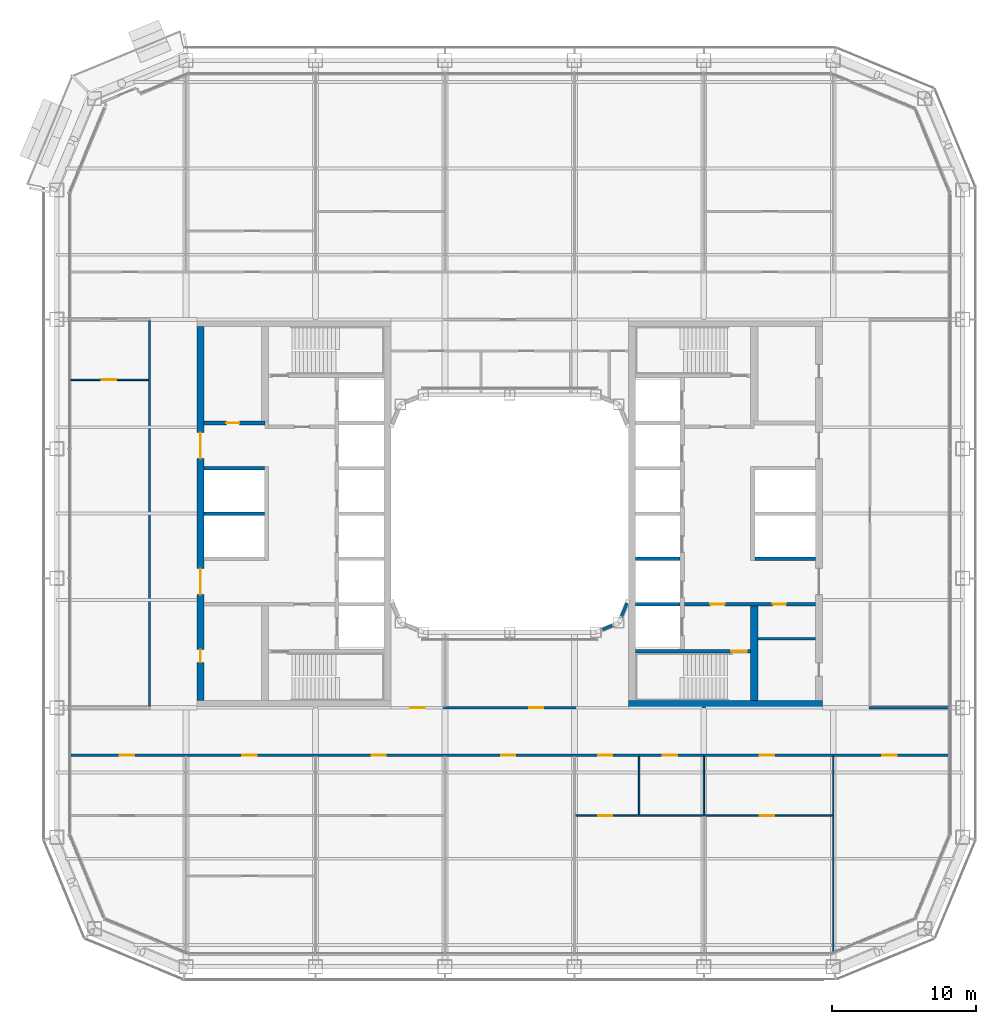
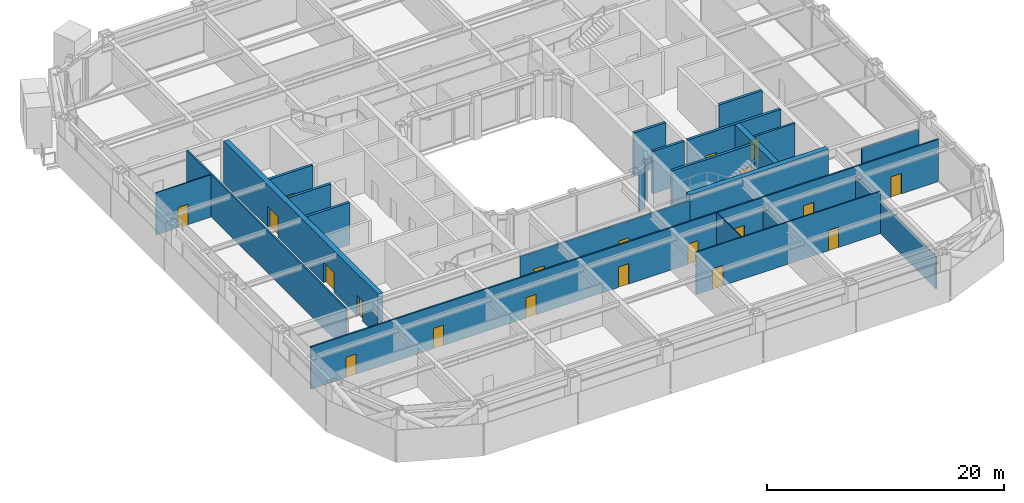
# One storey, part 13 of 28: 23 walls, 20 doors, 20 openings.
"""IFC4 building model written with IfcOpenShell, lengths in metres."""

import ifcopenshell
import ifcopenshell.guid

model = None  # the IFC model being written
_history = None  # IfcOwnerHistory: only IFC2X3 demands one
_inside = {}  # id of a spatial element -> (the spatial element, [elements in it])
_under = {}  # id of a project, library or spatial element -> (it, [spatial elements below it])
_declared = {}  # id of a project -> (the project, [libraries it declares])
_typed = {}  # id of a type object -> (the type object, [elements of that type])
_made_of = {}  # id of a material, layer set ... -> (it, [elements and type objects made of it])


def new_model(schema):
    """Start an empty IFC model of exactly this schema.

    Asked for "IFC4X3", IfcOpenShell would pick the latest addendum, in which some entities
    have other attributes; the version numbers below select the first issue.
    IFC2X3 requires an IfcOwnerHistory on every rooted entity: one is made here for all.
    """
    global model, _history
    if schema == "IFC4X3":
        model = ifcopenshell.file(schema_version=(4, 3, 0, 0))
    else:
        model = ifcopenshell.file(schema=schema)
    _inside.clear()
    _under.clear()
    _declared.clear()
    _typed.clear()
    _made_of.clear()
    _history = None
    if model.schema == "IFC2X3":
        org = make("IfcOrganization", Name="unknown")
        user = make(
            "IfcPersonAndOrganization",
            ThePerson=make("IfcPerson", FamilyName="unknown"),
            TheOrganization=org,
        )
        app = make(
            "IfcApplication",
            ApplicationDeveloper=org,
            Version="unknown",
            ApplicationFullName="unknown",
            ApplicationIdentifier="unknown",
        )
        _history = make(
            "IfcOwnerHistory",
            OwningUser=user,
            OwningApplication=app,
            ChangeAction="ADDED",
            CreationDate=0,
        )
    return model


def make(cls, **values):
    """One entity of the class cls with the attributes given. An attribute that is None is left unset."""
    return model.create_entity(
        cls, **{name: value for name, value in values.items() if value is not None}
    )


def rooted(cls, **values):
    """An entity with a GlobalId (a new one), such as an element, a storey or a relation."""
    return make(cls, GlobalId=ifcopenshell.guid.new(), OwnerHistory=_history, **values)


def si_unit(unit_type, name, prefix=None):
    """IfcSIUnit, for example si_unit("LENGTHUNIT", "METRE", prefix="MILLI")."""
    return make("IfcSIUnit", UnitType=unit_type, Prefix=prefix, Name=name)


def assignment(units):
    """IfcUnitAssignment: the units of a project."""
    return None if units is None else make("IfcUnitAssignment", Units=units)


def point(xyz):
    """IfcCartesianPoint."""
    return None if xyz is None else make("IfcCartesianPoint", Coordinates=xyz)


def direction(xyz):
    """IfcDirection."""
    return None if xyz is None else make("IfcDirection", DirectionRatios=xyz)


def frame(location, z_axis=None, x_axis=None):
    """IfcAxis2Placement3D, a coordinate frame: its origin and axes. An axis left out is left unset."""
    return make(
        "IfcAxis2Placement3D",
        Location=point(location),
        Axis=direction(z_axis),
        RefDirection=direction(x_axis),
    )


def frame_2d(location, x_axis=None):
    """IfcAxis2Placement2D, a coordinate frame in the plane: its origin and x axis."""
    return make(
        "IfcAxis2Placement2D", Location=point(location), RefDirection=direction(x_axis)
    )


def origin():
    """The frame at (0, 0, 0) with its axes left unset."""
    return frame((0.0, 0.0, 0.0))


def place(relative_to, where):
    """IfcLocalPlacement: puts the frame where relative to a parent placement (None: the world)."""
    return make(
        "IfcLocalPlacement", PlacementRelTo=relative_to, RelativePlacement=where
    )


def context(
    kind, dimensions, precision=None, world=None, true_north=None, identifier=None
):
    """IfcGeometricRepresentationContext, for example the 3D "Model" context."""
    return make(
        "IfcGeometricRepresentationContext",
        ContextIdentifier=identifier,
        ContextType=kind,
        CoordinateSpaceDimension=dimensions,
        Precision=precision,
        WorldCoordinateSystem=world,
        TrueNorth=true_north,
    )


def subcontext(parent, identifier, kind, view, scale=None):
    """IfcGeometricRepresentationSubContext, for example "Body" below "Model"."""
    return make(
        "IfcGeometricRepresentationSubContext",
        ContextIdentifier=identifier,
        ContextType=kind,
        ParentContext=parent,
        TargetScale=scale,
        TargetView=view,
    )


def project(units=None, contexts=None):
    """IfcProject with its units and contexts."""
    return rooted(
        "IfcProject",
        Name="project",
        RepresentationContexts=contexts,
        UnitsInContext=assignment(units),
    )


def spatial(cls, under=None, at=None, **own):
    """A site, building, storey or space (cls), placed at a placement, below another one or the project."""
    s = rooted(cls, ObjectPlacement=at, **own)
    if under is not None:
        _under.setdefault(under.id(), (under, []))[1].append(s)
    return s


def profile(cls, at=None, kind="AREA", **sizes):
    """A parametric profile (cls). Its sizes go by their IFC names, for example OverallWidth=200.0."""
    return make(cls, ProfileType=kind, Position=at, **sizes)


def rectangle(**sizes):
    """IfcRectangleProfileDef."""
    return profile("IfcRectangleProfileDef", **sizes)


def extrude(swept, where, along, depth):
    """IfcExtrudedAreaSolid: the profile swept, set in the frame where, extruded along a direction by depth."""
    return make(
        "IfcExtrudedAreaSolid",
        SweptArea=swept,
        Position=where,
        ExtrudedDirection=direction(along),
        Depth=depth,
    )


def shape(context_of_items, identifier, shape_type, items):
    """IfcShapeRepresentation: the items that make up one representation, for example the "Body"."""
    return make(
        "IfcShapeRepresentation",
        ContextOfItems=context_of_items,
        RepresentationIdentifier=identifier,
        RepresentationType=shape_type,
        Items=items,
    )


def material(Name=None, Category=None):
    """IfcMaterial."""
    return make("IfcMaterial", Name=Name, Category=Category)


def layer(
    of_material, thickness, ventilated=None, Name=None, Category=None, Priority=None
):
    """IfcMaterialLayer: one layer of a wall or slab, of a material (None: an air gap)."""
    return make(
        "IfcMaterialLayer",
        Material=of_material,
        LayerThickness=thickness,
        IsVentilated=ventilated,
        Name=Name,
        Category=Category,
        Priority=Priority,
    )


def layer_set(layers, Name=None):
    """IfcMaterialLayerSet."""
    return make("IfcMaterialLayerSet", MaterialLayers=layers, LayerSetName=Name)


def made_of(thing, what):
    """Note that an element or type object is made of a material, layer set ...; save() writes the relation."""
    if what is not None:
        _made_of.setdefault(what.id(), (what, []))[1].append(thing)
    return thing


def type_object(cls, material=None, **own):
    """A type object (cls), such as IfcWallType, which elements share."""
    return made_of(rooted(cls, **own), material)


def element(
    cls,
    number,
    at=None,
    inside=None,
    cuts=None,
    type_object=None,
    material=None,
    context=None,
    identifier="Body",
    shape_type=None,
    held_by="IfcProductDefinitionShape",
    body=None,
    shapes=None,
    **own,
):
    """One element of the class cls, such as IfcWall. Its Tag is "e" and its number.

    at: its placement. inside: the storey or other place that contains it. cuts: it is an
    opening in that element (IfcRelVoidsElement). A single representation is given by context,
    identifier, shape_type and body (its items); several are given by shapes. held_by: the class
    of the entity that holds the representations. save() writes the other relations.
    """
    e = rooted(cls, Tag="e%d" % number, ObjectPlacement=at, **own)
    if body is not None:
        shapes = [shape(context, identifier, shape_type, body)]
    if shapes is not None:
        e.Representation = make(held_by, Representations=shapes)
    if inside is not None:
        _inside.setdefault(inside.id(), (inside, []))[1].append(e)
    if cuts is not None:
        rooted(
            "IfcRelVoidsElement", RelatingBuildingElement=cuts, RelatedOpeningElement=e
        )
    if type_object is not None:
        _typed.setdefault(type_object.id(), (type_object, []))[1].append(e)
    return made_of(e, material)


def fill(opening, filler):
    """IfcRelFillsElement: the door or window that sits in an opening."""
    return rooted(
        "IfcRelFillsElement",
        RelatingOpeningElement=opening,
        RelatedBuildingElement=filler,
    )


def aggregate(whole, parts):
    """IfcRelAggregates: a whole, such as a stair, and the parts it consists of."""
    return rooted("IfcRelAggregates", RelatingObject=whole, RelatedObjects=parts)


def save(model, path):
    """Write the relations noted so far, then the file.

    IfcRelAggregates (storeys below a building ...), IfcRelContainedInSpatialStructure (elements
    in a storey), IfcRelDefinesByType, IfcRelAssociatesMaterial and IfcRelDeclares: one each for
    every whole, place, type object, material and project.
    """
    for whole, parts in _under.values():
        aggregate(whole, parts)
    for where, things in _inside.values():
        rooted(
            "IfcRelContainedInSpatialStructure",
            RelatedElements=things,
            RelatingStructure=where,
        )
    for kind, things in _typed.values():
        rooted("IfcRelDefinesByType", RelatedObjects=things, RelatingType=kind)
    for what, things in _made_of.values():
        rooted("IfcRelAssociatesMaterial", RelatedObjects=things, RelatingMaterial=what)
    for by, libraries in _declared.values():
        rooted("IfcRelDeclares", RelatingContext=by, RelatedDefinitions=libraries)
    model.write(path)


model = new_model("IFC4")

# Units and contexts
model_context = context("Model", 3, precision=1e-05, world=origin(), true_north=direction((0.0, 1.0)))
body_context = subcontext(model_context, "Body", "Model", "MODEL_VIEW")
ifc_project = project(units=[si_unit("LENGTHUNIT", "METRE"), si_unit("AREAUNIT", "SQUARE_METRE"), si_unit("VOLUMEUNIT", "CUBIC_METRE"), si_unit("PLANEANGLEUNIT", "RADIAN"), si_unit("MASSUNIT", "GRAM", prefix="KILO")], contexts=[model_context])

# Site, building, storey
site_placement = place(None, origin())
site = spatial("IfcSite", under=ifc_project, at=site_placement, CompositionType="ELEMENT")
building_placement = place(site_placement, origin())
building = spatial("IfcBuilding", under=site, at=building_placement, Name="Siwar Civic Tower", CompositionType="ELEMENT")
storey_placement = place(building_placement, frame((0.0, 0.0, 85.199951171875)))
storey = spatial("IfcBuildingStorey", under=building, at=storey_placement, Name="L18", CompositionType="ELEMENT", Elevation=85.199951171875)

# Wall
ifc_material_1 = material(Name="Gypsum board on steel studs", Category="steel")
ifc_layer_1 = layer(ifc_material_1, 0.199951171875)
ifc_layer_set_1 = layer_set([ifc_layer_1], Name="Gypsum board on steel studs")
wall_type_1 = type_object("IfcWallType", Name="CORE-PARTITION-200", PredefinedType="PARTITIONING", material=ifc_layer_set_1)
wall_1_placement = place(storey_placement, frame((17.25, -8.699951171875, 0.0), z_axis=(0.0, 0.0, 1.0), x_axis=(1.0, 0.0, 0.0)))
element("IfcWall", 1, at=wall_1_placement, inside=storey, type_object=wall_type_1, Name="Core partition E", PredefinedType="PARTITIONING", context=body_context, shape_type="SweptSolid", body=[
    extrude(rectangle(XDim=4.0, YDim=0.199951171875, at=frame_2d((2.0, 0.0))), origin(), (0.0, 0.0, 1.0), 4.35009765625),
])

# Wall, opening, door
ifc_material_2 = material(Name="Concrete C60/75", Category="concrete")
ifc_layer_2 = layer(ifc_material_2, 0.25)
ifc_layer_set_2 = layer_set([ifc_layer_2], Name="Concrete C60/75")
wall_type_2 = type_object("IfcWallType", Name="CORE-WALL-RC250", PredefinedType="SHEAR", material=ifc_layer_set_2)
wall_2_placement = place(storey_placement, frame((-17.0, 6.300048828125, 0.0), z_axis=(0.0, 0.0, 1.0), x_axis=(-1.0, 0.0, 0.0)))
wall_2 = element("IfcWall", 2, at=wall_2_placement, inside=storey, type_object=wall_type_2, Name="Core wall W", PredefinedType="SHEAR", context=body_context, shape_type="SweptSolid", body=[
    extrude(rectangle(XDim=4.25, YDim=0.25, at=frame_2d((2.125, 0.0))), origin(), (0.0, 0.0, 1.0), 4.35009765625),
])
opening_1_placement = place(wall_2_placement, frame((1.800048828125, 0.0, 0.0)))
opening_1 = element("IfcOpeningElement", 3, at=opening_1_placement, cuts=wall_2, Name="Opening L18-CW13", PredefinedType="OPENING", context=body_context, shape_type="SweptSolid", body=[
    extrude(rectangle(XDim=0.89990234375, YDim=2.10009765625, at=frame_2d((0.449951171875, 1.050048828125))), frame((0.0, 0.135009765625, 0.0), z_axis=(0.0, -1.0, 0.0), x_axis=(1.0, 0.0, 0.0)), (0.0, 0.0, 1.0), 0.27001953125),
])
ifc_material_3 = material(Name="Steel door leaf", Category="steel")
door_type_1 = type_object("IfcDoorType", Name="CORE-DOOR-ROOM", OperationType="SINGLE_SWING_LEFT", PredefinedType="DOOR", material=ifc_material_3)
door_1_placement = place(opening_1_placement, origin())
door_1 = element("IfcDoor", 4, at=door_1_placement, inside=storey, type_object=door_type_1, Name="Core room door L18-CW13", OperationType="SINGLE_SWING_LEFT", OverallHeight=2.10009765625, OverallWidth=0.89990234375, PredefinedType="DOOR", context=body_context, shape_type="SweptSolid", body=[
    extrude(rectangle(XDim=0.89990234375, YDim=2.10009765625, at=frame_2d((0.449951171875, 1.050048828125))), frame((0.0, 0.02490234375, 0.0), z_axis=(0.0, -1.0, 0.0), x_axis=(1.0, 0.0, 0.0)), (0.0, 0.0, 1.0), 0.050048828125),
])
fill(opening_1, door_1)

# Walls
for number, where, z_axis, x_axis, name in (
    (5, (-17.050048828125, 0.0, 0.0), (0.0, 0.0, 1.0), (-1.0, 0.0, 0.0), "Core wall W"),
    (6, (-17.050048828125, 3.14990234375, 0.0), (0.0, 0.0, 1.0), (-1.0, 0.0, 0.0), "Core wall W"),
):
    element("IfcWall", number, at=place(storey_placement, frame(where, z_axis=z_axis, x_axis=x_axis)), inside=storey, type_object=wall_type_2, Name=name, PredefinedType="SHEAR", context=body_context, shape_type="SweptSolid", body=[
        extrude(rectangle(XDim=4.199951171875, YDim=0.25, at=frame_2d((2.10009765625, 0.0))), origin(), (0.0, 0.0, 1.0), 4.35009765625),
    ])

# Wall, openings, doors
wall_3_placement = place(storey_placement, frame((12.14990234375, -6.300048828125, 0.0), z_axis=(0.0, 0.0, 1.0), x_axis=(1.0, 0.0, 0.0)))
wall_3 = element("IfcWall", 7, at=wall_3_placement, inside=storey, type_object=wall_type_2, Name="Core wall E", PredefinedType="SHEAR", context=body_context, shape_type="SweptSolid", body=[
    extrude(rectangle(XDim=9.10009765625, YDim=0.25, at=frame_2d((4.550048828125, 0.0))), origin(), (0.0, 0.0, 1.0), 4.35009765625),
])
opening_2_placement = place(wall_3_placement, frame((1.800048828125, 0.0, 0.0)))
opening_2 = element("IfcOpeningElement", 8, at=opening_2_placement, cuts=wall_3, Name="Opening L18-CE02", PredefinedType="OPENING", context=body_context, shape_type="SweptSolid", body=[
    extrude(rectangle(XDim=1.0, YDim=2.10009765625, at=frame_2d((0.5, 1.050048828125))), frame((0.0, 0.135009765625, 0.0), z_axis=(0.0, -1.0, 0.0), x_axis=(1.0, 0.0, 0.0)), (0.0, 0.0, 1.0), 0.27001953125),
])
opening_3_placement = place(wall_3_placement, frame((6.14990234375, 0.0, 0.0)))
opening_3 = element("IfcOpeningElement", 9, at=opening_3_placement, cuts=wall_3, Name="Opening L18-CE14", PredefinedType="OPENING", context=body_context, shape_type="SweptSolid", body=[
    extrude(rectangle(XDim=0.89990234375, YDim=2.10009765625, at=frame_2d((0.449951171875, 1.050048828125))), frame((0.0, 0.135009765625, 0.0), z_axis=(0.0, -1.0, 0.0), x_axis=(1.0, 0.0, 0.0)), (0.0, 0.0, 1.0), 0.27001953125),
])
ifc_material_4 = material(Name="Steel door leaf", Category="steel")
door_type_2 = type_object("IfcDoorType", Name="CORE-DOOR-FD30S", OperationType="SINGLE_SWING_LEFT", PredefinedType="DOOR", material=ifc_material_4)
door_2_placement = place(opening_2_placement, origin())
door_2 = element("IfcDoor", 10, at=door_2_placement, inside=storey, type_object=door_type_2, Name="Service lobby door L18-CE02", OperationType="SINGLE_SWING_LEFT", OverallHeight=2.10009765625, OverallWidth=1.0, PredefinedType="DOOR", context=body_context, shape_type="SweptSolid", body=[
    extrude(rectangle(XDim=1.0, YDim=2.10009765625, at=frame_2d((0.5, 1.050048828125))), frame((0.0, 0.02490234375, 0.0), z_axis=(0.0, -1.0, 0.0), x_axis=(1.0, 0.0, 0.0)), (0.0, 0.0, 1.0), 0.050048828125),
])
fill(opening_2, door_2)
door_3_placement = place(opening_3_placement, origin())
door_3 = element("IfcDoor", 11, at=door_3_placement, inside=storey, type_object=door_type_1, Name="Core room door L18-CE14", OperationType="SINGLE_SWING_LEFT", OverallHeight=2.10009765625, OverallWidth=0.89990234375, PredefinedType="DOOR", context=body_context, shape_type="SweptSolid", body=[
    extrude(rectangle(XDim=0.89990234375, YDim=2.10009765625, at=frame_2d((0.449951171875, 1.050048828125))), frame((0.0, 0.02490234375, 0.0), z_axis=(0.0, -1.0, 0.0), x_axis=(1.0, 0.0, 0.0)), (0.0, 0.0, 1.0), 0.050048828125),
])
fill(opening_3, door_3)

# Walls
wall_4_placement = place(storey_placement, frame((17.050048828125, -3.14990234375, 0.0), z_axis=(0.0, 0.0, 1.0), x_axis=(1.0, 0.0, 0.0)))
element("IfcWall", 12, at=wall_4_placement, inside=storey, type_object=wall_type_2, Name="Core wall E", PredefinedType="SHEAR", context=body_context, shape_type="SweptSolid", body=[
    extrude(rectangle(XDim=4.199951171875, YDim=0.25, at=frame_2d((2.10009765625, 0.0))), origin(), (0.0, 0.0, 1.0), 4.35009765625),
])
for number, where, z_axis, x_axis, name in (
    (13, (8.75, -3.14990234375, 0.0), (0.0, 0.0, 1.0), (1.0, 0.0, 0.0), "Core wall E"),
    (14, (8.75, -6.300048828125, 0.0), (0.0, 0.0, 1.0), (1.0, 0.0, 0.0), "Core wall E"),
):
    element("IfcWall", number, at=place(storey_placement, frame(where, z_axis=z_axis, x_axis=x_axis)), inside=storey, type_object=wall_type_2, Name=name, PredefinedType="SHEAR", context=body_context, shape_type="SweptSolid", body=[
        extrude(rectangle(XDim=3.10009765625, YDim=0.25, at=frame_2d((1.550048828125, 0.0))), origin(), (0.0, 0.0, 1.0), 4.35009765625),
    ])

# Wall, opening, door
wall_5_placement = place(storey_placement, frame((8.75, -9.574951171875, 0.0), z_axis=(0.0, 0.0, 1.0), x_axis=(1.0, 0.0, 0.0)))
wall_5 = element("IfcWall", 15, at=wall_5_placement, inside=storey, type_object=wall_type_2, Name="Core wall E", PredefinedType="SHEAR", context=body_context, shape_type="SweptSolid", body=[
    extrude(rectangle(XDim=8.0, YDim=0.25, at=frame_2d((4.0, 0.0))), origin(), (0.0, 0.0, 1.0), 4.35009765625),
])
opening_4_placement = place(wall_5_placement, frame((6.64990234375, 0.0, 0.0)))
opening_4 = element("IfcOpeningElement", 16, at=opening_4_placement, cuts=wall_5, Name="Opening L18-CE04", PredefinedType="OPENING", context=body_context, shape_type="SweptSolid", body=[
    extrude(rectangle(XDim=1.10009765625, YDim=2.10009765625, at=frame_2d((0.550048828125, 1.050048828125))), frame((0.0, 0.135009765625, 0.0), z_axis=(0.0, -1.0, 0.0), x_axis=(1.0, 0.0, 0.0)), (0.0, 0.0, 1.0), 0.27001953125),
])
ifc_material_5 = material(Name="Steel door leaf", Category="steel")
door_type_3 = type_object("IfcDoorType", Name="CORE-DOOR-FD60S", OperationType="SINGLE_SWING_LEFT", PredefinedType="DOOR", material=ifc_material_5)
door_4_placement = place(opening_4_placement, origin())
door_4 = element("IfcDoor", 17, at=door_4_placement, inside=storey, type_object=door_type_3, Name="Stair door L18-CE04", OperationType="SINGLE_SWING_RIGHT", OverallHeight=2.10009765625, OverallWidth=1.10009765625, PredefinedType="DOOR", context=body_context, shape_type="SweptSolid", body=[
    extrude(rectangle(XDim=1.10009765625, YDim=2.10009765625, at=frame_2d((0.550048828125, 1.050048828125))), frame((0.0, 0.02490234375, 0.0), z_axis=(0.0, -1.0, 0.0), x_axis=(1.0, 0.0, 0.0)), (0.0, 0.0, 1.0), 0.050048828125),
])
fill(opening_4, door_4)

# Wall, openings, doors
ifc_material_6 = material(Name="Concrete C60/75", Category="concrete")
ifc_layer_3 = layer(ifc_material_6, 0.5)
ifc_layer_set_3 = layer_set([ifc_layer_3], Name="Concrete C60/75")
wall_type_3 = type_object("IfcWallType", Name="CORE-WALL-RC500", PredefinedType="SHEAR", material=ifc_layer_set_3)
wall_6_placement = place(storey_placement, frame((-21.5, -13.0, 0.0), z_axis=(0.0, 0.0, 1.0), x_axis=(0.0, 1.0, 0.0)))
wall_6 = element("IfcWall", 18, at=wall_6_placement, inside=storey, type_object=wall_type_3, Name="Core wall W", PredefinedType="SHEAR", context=body_context, shape_type="SweptSolid", body=[
    extrude(rectangle(XDim=26.0, YDim=0.5, at=frame_2d((13.0, 0.0))), origin(), (0.0, 0.0, 1.0), 4.35009765625),
])
opening_5_placement = place(wall_6_placement, frame((16.824951171875, 0.0, 0.0)))
opening_5 = element("IfcOpeningElement", 19, at=opening_5_placement, cuts=wall_6, Name="Opening L18-CW05", PredefinedType="OPENING", context=body_context, shape_type="SweptSolid", body=[
    extrude(rectangle(XDim=1.800048828125, YDim=2.10009765625, at=frame_2d((0.89990234375, 1.050048828125))), frame((0.0, 0.260009765625, 0.0), z_axis=(0.0, -1.0, 0.0), x_axis=(1.0, 0.0, 0.0)), (0.0, 0.0, 1.0), 0.52001953125),
])
opening_6_placement = place(wall_6_placement, frame((7.375, 0.0, 0.0)))
opening_6 = element("IfcOpeningElement", 20, at=opening_6_placement, cuts=wall_6, Name="Opening L18-CW06", PredefinedType="OPENING", context=body_context, shape_type="SweptSolid", body=[
    extrude(rectangle(XDim=1.800048828125, YDim=2.10009765625, at=frame_2d((0.89990234375, 1.050048828125))), frame((0.0, 0.260009765625, 0.0), z_axis=(0.0, -1.0, 0.0), x_axis=(1.0, 0.0, 0.0)), (0.0, 0.0, 1.0), 0.52001953125),
])
opening_7_placement = place(wall_6_placement, frame((2.64990234375, 0.0, 0.0)))
opening_7 = element("IfcOpeningElement", 21, at=opening_7_placement, cuts=wall_6, Name="Opening L18-CW14", PredefinedType="OPENING", context=body_context, shape_type="SweptSolid", body=[
    extrude(rectangle(XDim=0.89990234375, YDim=2.10009765625, at=frame_2d((0.449951171875, 1.050048828125))), frame((0.0, 0.260009765625, 0.0), z_axis=(0.0, -1.0, 0.0), x_axis=(1.0, 0.0, 0.0)), (0.0, 0.0, 1.0), 0.52001953125),
])
ifc_material_7 = material(Name="Steel door leaf", Category="steel")
door_type_4 = type_object("IfcDoorType", Name="CORE-DOOR-PORT", OperationType="DOUBLE_DOOR_DOUBLE_SWING", PredefinedType="DOOR", material=ifc_material_7)
door_5_placement = place(opening_5_placement, origin())
door_5 = element("IfcDoor", 22, at=door_5_placement, inside=storey, type_object=door_type_4, Name="Core entrance door L18-CW05", OperationType="DOUBLE_DOOR_DOUBLE_SWING", OverallHeight=2.10009765625, OverallWidth=1.800048828125, PredefinedType="DOOR", context=body_context, shape_type="SweptSolid", body=[
    extrude(rectangle(XDim=1.800048828125, YDim=2.10009765625, at=frame_2d((0.89990234375, 1.050048828125))), frame((0.0, 0.02490234375, 0.0), z_axis=(0.0, -1.0, 0.0), x_axis=(1.0, 0.0, 0.0)), (0.0, 0.0, 1.0), 0.050048828125),
])
fill(opening_5, door_5)
door_6_placement = place(opening_6_placement, origin())
door_6 = element("IfcDoor", 23, at=door_6_placement, inside=storey, type_object=door_type_4, Name="Core entrance door L18-CW06", OperationType="DOUBLE_DOOR_DOUBLE_SWING", OverallHeight=2.10009765625, OverallWidth=1.800048828125, PredefinedType="DOOR", context=body_context, shape_type="SweptSolid", body=[
    extrude(rectangle(XDim=1.800048828125, YDim=2.10009765625, at=frame_2d((0.89990234375, 1.050048828125))), frame((0.0, 0.02490234375, 0.0), z_axis=(0.0, -1.0, 0.0), x_axis=(1.0, 0.0, 0.0)), (0.0, 0.0, 1.0), 0.050048828125),
])
fill(opening_6, door_6)
door_7_placement = place(opening_7_placement, origin())
door_7 = element("IfcDoor", 24, at=door_7_placement, inside=storey, type_object=door_type_1, Name="Core room door L18-CW14", OperationType="SINGLE_SWING_LEFT", OverallHeight=2.10009765625, OverallWidth=0.89990234375, PredefinedType="DOOR", context=body_context, shape_type="SweptSolid", body=[
    extrude(rectangle(XDim=0.89990234375, YDim=2.10009765625, at=frame_2d((0.449951171875, 1.050048828125))), frame((0.0, 0.02490234375, 0.0), z_axis=(0.0, -1.0, 0.0), x_axis=(1.0, 0.0, 0.0)), (0.0, 0.0, 1.0), 0.050048828125),
])
fill(opening_7, door_7)

# Walls
wall_7_placement = place(storey_placement, frame((17.0, -13.0, 0.0), z_axis=(0.0, 0.0, 1.0), x_axis=(0.0, 1.0, 0.0)))
element("IfcWall", 25, at=wall_7_placement, inside=storey, type_object=wall_type_3, Name="Core wall E", PredefinedType="SHEAR", context=body_context, shape_type="SweptSolid", body=[
    extrude(rectangle(XDim=6.574951171875, YDim=0.5, at=frame_2d((3.28759765625, 0.0))), origin(), (0.0, 0.0, 1.0), 4.35009765625),
])
wall_8_placement = place(storey_placement, frame((8.25, -13.25, 0.0), z_axis=(0.0, 0.0, 1.0), x_axis=(1.0, 0.0, 0.0)))
element("IfcWall", 26, at=wall_8_placement, inside=storey, type_object=wall_type_3, Name="Core wall E", PredefinedType="SHEAR", context=body_context, shape_type="SweptSolid", body=[
    extrude(rectangle(XDim=13.5, YDim=0.5, at=frame_2d((6.75, 0.0))), origin(), (0.0, 0.0, 1.0), 4.35009765625),
])

# Wall, openings, doors
ifc_material_8 = material(Name="Gypsum board on steel studs", Category="steel")
ifc_layer_4 = layer(ifc_material_8, 0.14990234375)
ifc_layer_set_4 = layer_set([ifc_layer_4], Name="Gypsum board on steel studs")
wall_type_4 = type_object("IfcWallType", Name="CORRIDOR PARTITION 150 EI 30", PredefinedType="PARTITIONING", material=ifc_layer_set_4)
wall_9_placement = place(storey_placement, frame((-30.510009765625, -16.800048828125, 0.0), z_axis=(0.0, 0.0, 1.0), x_axis=(1.0, 0.0, 0.0)))
wall_9 = element("IfcWall", 27, at=wall_9_placement, inside=storey, type_object=wall_type_4, Name="L18/wall/P04", PredefinedType="PARTITIONING", context=body_context, shape_type="SweptSolid", body=[
    extrude(rectangle(XDim=61.02001953125, YDim=0.14990234375, at=frame_2d((30.510009765625, 0.0))), origin(), (0.0, 0.0, 1.0), 4.35009765625),
])
opening_8_placement = place(wall_9_placement, frame((11.909912109375, 0.0, 0.0)))
opening_8 = element("IfcOpeningElement", 28, at=opening_8_placement, cuts=wall_9, Name="Opening D1", PredefinedType="OPENING", context=body_context, shape_type="SweptSolid", body=[
    extrude(rectangle(XDim=1.0, YDim=2.10009765625, at=frame_2d((0.5, 1.050048828125))), frame((0.0, 0.0849609375, 0.0), z_axis=(0.0, -1.0, 0.0), x_axis=(1.0, 0.0, 0.0)), (0.0, 0.0, 1.0), 0.169921875),
])
opening_9_placement = place(wall_9_placement, frame((20.909912109375, 0.0, 0.0)))
opening_9 = element("IfcOpeningElement", 29, at=opening_9_placement, cuts=wall_9, Name="Opening D1", PredefinedType="OPENING", context=body_context, shape_type="SweptSolid", body=[
    extrude(rectangle(XDim=1.0, YDim=2.10009765625, at=frame_2d((0.5, 1.050048828125))), frame((0.0, 0.0849609375, 0.0), z_axis=(0.0, -1.0, 0.0), x_axis=(1.0, 0.0, 0.0)), (0.0, 0.0, 1.0), 0.169921875),
])
opening_10_placement = place(wall_9_placement, frame((29.909912109375, 0.0, 0.0)))
opening_10 = element("IfcOpeningElement", 30, at=opening_10_placement, cuts=wall_9, Name="Opening D1", PredefinedType="OPENING", context=body_context, shape_type="SweptSolid", body=[
    extrude(rectangle(XDim=1.0, YDim=2.10009765625, at=frame_2d((0.5, 1.050048828125))), frame((0.0, 0.0849609375, 0.0), z_axis=(0.0, -1.0, 0.0), x_axis=(1.0, 0.0, 0.0)), (0.0, 0.0, 1.0), 0.169921875),
])
opening_11_placement = place(wall_9_placement, frame((36.659912109375, 0.0, 0.0)))
opening_11 = element("IfcOpeningElement", 31, at=opening_11_placement, cuts=wall_9, Name="Opening D1", PredefinedType="OPENING", context=body_context, shape_type="SweptSolid", body=[
    extrude(rectangle(XDim=1.0, YDim=2.10009765625, at=frame_2d((0.5, 1.050048828125))), frame((0.0, 0.0849609375, 0.0), z_axis=(0.0, -1.0, 0.0), x_axis=(1.0, 0.0, 0.0)), (0.0, 0.0, 1.0), 0.169921875),
])
opening_12_placement = place(wall_9_placement, frame((41.159912109375, 0.0, 0.0)))
opening_12 = element("IfcOpeningElement", 32, at=opening_12_placement, cuts=wall_9, Name="Opening D1", PredefinedType="OPENING", context=body_context, shape_type="SweptSolid", body=[
    extrude(rectangle(XDim=1.0, YDim=2.10009765625, at=frame_2d((0.5, 1.050048828125))), frame((0.0, 0.0849609375, 0.0), z_axis=(0.0, -1.0, 0.0), x_axis=(1.0, 0.0, 0.0)), (0.0, 0.0, 1.0), 0.169921875),
])
opening_13_placement = place(wall_9_placement, frame((47.909912109375, 0.0, 0.0)))
opening_13 = element("IfcOpeningElement", 33, at=opening_13_placement, cuts=wall_9, Name="Opening D1", PredefinedType="OPENING", context=body_context, shape_type="SweptSolid", body=[
    extrude(rectangle(XDim=1.0, YDim=2.10009765625, at=frame_2d((0.5, 1.050048828125))), frame((0.0, 0.0849609375, 0.0), z_axis=(0.0, -1.0, 0.0), x_axis=(1.0, 0.0, 0.0)), (0.0, 0.0, 1.0), 0.169921875),
])
opening_14_placement = place(wall_9_placement, frame((3.39990234375, 0.0, 0.0)))
opening_14 = element("IfcOpeningElement", 34, at=opening_14_placement, cuts=wall_9, Name="Opening D1", PredefinedType="OPENING", context=body_context, shape_type="SweptSolid", body=[
    extrude(rectangle(XDim=1.0, YDim=2.10009765625, at=frame_2d((0.5, 1.050048828125))), frame((0.0, 0.0849609375, 0.0), z_axis=(0.0, -1.0, 0.0), x_axis=(1.0, 0.0, 0.0)), (0.0, 0.0, 1.0), 0.169921875),
])
opening_15_placement = place(wall_9_placement, frame((56.409912109375, 0.0, 0.0)))
opening_15 = element("IfcOpeningElement", 35, at=opening_15_placement, cuts=wall_9, Name="Opening D1", PredefinedType="OPENING", context=body_context, shape_type="SweptSolid", body=[
    extrude(rectangle(XDim=1.0, YDim=2.10009765625, at=frame_2d((0.5, 1.050048828125))), frame((0.0, 0.0849609375, 0.0), z_axis=(0.0, -1.0, 0.0), x_axis=(1.0, 0.0, 0.0)), (0.0, 0.0, 1.0), 0.169921875),
])
ifc_material_9 = material(Name="Timber, painted", Category="wood")
door_type_5 = type_object("IfcDoorType", Name="DOOR 1000 X 2100 FD30", OperationType="SINGLE_SWING_LEFT", PredefinedType="DOOR", material=ifc_material_9)
door_8_placement = place(opening_8_placement, origin())
door_8 = element("IfcDoor", 36, at=door_8_placement, inside=storey, type_object=door_type_5, Name="L18-D09", OperationType="SINGLE_SWING_LEFT", OverallHeight=2.10009765625, OverallWidth=1.0, PredefinedType="DOOR", context=body_context, shape_type="SweptSolid", body=[
    extrude(rectangle(XDim=1.0, YDim=2.10009765625, at=frame_2d((0.5, 1.050048828125))), frame((0.0, 0.02490234375, 0.0), z_axis=(0.0, -1.0, 0.0), x_axis=(1.0, 0.0, 0.0)), (0.0, 0.0, 1.0), 0.050048828125),
])
fill(opening_8, door_8)
door_9_placement = place(opening_9_placement, origin())
door_9 = element("IfcDoor", 37, at=door_9_placement, inside=storey, type_object=door_type_5, Name="L18-D12", OperationType="SINGLE_SWING_RIGHT", OverallHeight=2.10009765625, OverallWidth=1.0, PredefinedType="DOOR", context=body_context, shape_type="SweptSolid", body=[
    extrude(rectangle(XDim=1.0, YDim=2.10009765625, at=frame_2d((0.5, 1.050048828125))), frame((0.0, 0.02490234375, 0.0), z_axis=(0.0, -1.0, 0.0), x_axis=(1.0, 0.0, 0.0)), (0.0, 0.0, 1.0), 0.050048828125),
])
fill(opening_9, door_9)
door_10_placement = place(opening_10_placement, origin())
door_10 = element("IfcDoor", 38, at=door_10_placement, inside=storey, type_object=door_type_5, Name="L18-D14", OperationType="SINGLE_SWING_RIGHT", OverallHeight=2.10009765625, OverallWidth=1.0, PredefinedType="DOOR", context=body_context, shape_type="SweptSolid", body=[
    extrude(rectangle(XDim=1.0, YDim=2.10009765625, at=frame_2d((0.5, 1.050048828125))), frame((0.0, 0.02490234375, 0.0), z_axis=(0.0, -1.0, 0.0), x_axis=(1.0, 0.0, 0.0)), (0.0, 0.0, 1.0), 0.050048828125),
])
fill(opening_10, door_10)
door_11_placement = place(opening_11_placement, origin())
door_11 = element("IfcDoor", 39, at=door_11_placement, inside=storey, type_object=door_type_5, Name="L18-D15", OperationType="SINGLE_SWING_LEFT", OverallHeight=2.10009765625, OverallWidth=1.0, PredefinedType="DOOR", context=body_context, shape_type="SweptSolid", body=[
    extrude(rectangle(XDim=1.0, YDim=2.10009765625, at=frame_2d((0.5, 1.050048828125))), frame((0.0, 0.02490234375, 0.0), z_axis=(0.0, -1.0, 0.0), x_axis=(1.0, 0.0, 0.0)), (0.0, 0.0, 1.0), 0.050048828125),
])
fill(opening_11, door_11)
door_12_placement = place(opening_12_placement, origin())
door_12 = element("IfcDoor", 40, at=door_12_placement, inside=storey, type_object=door_type_5, Name="L18-D16", OperationType="SINGLE_SWING_RIGHT", OverallHeight=2.10009765625, OverallWidth=1.0, PredefinedType="DOOR", context=body_context, shape_type="SweptSolid", body=[
    extrude(rectangle(XDim=1.0, YDim=2.10009765625, at=frame_2d((0.5, 1.050048828125))), frame((0.0, 0.02490234375, 0.0), z_axis=(0.0, -1.0, 0.0), x_axis=(1.0, 0.0, 0.0)), (0.0, 0.0, 1.0), 0.050048828125),
])
fill(opening_12, door_12)
door_13_placement = place(opening_13_placement, origin())
door_13 = element("IfcDoor", 41, at=door_13_placement, inside=storey, type_object=door_type_5, Name="L18-D18", OperationType="SINGLE_SWING_RIGHT", OverallHeight=2.10009765625, OverallWidth=1.0, PredefinedType="DOOR", context=body_context, shape_type="SweptSolid", body=[
    extrude(rectangle(XDim=1.0, YDim=2.10009765625, at=frame_2d((0.5, 1.050048828125))), frame((0.0, 0.02490234375, 0.0), z_axis=(0.0, -1.0, 0.0), x_axis=(1.0, 0.0, 0.0)), (0.0, 0.0, 1.0), 0.050048828125),
])
fill(opening_13, door_13)
door_14_placement = place(opening_14_placement, origin())
door_14 = element("IfcDoor", 42, at=door_14_placement, inside=storey, type_object=door_type_5, Name="L18-D22", OperationType="SINGLE_SWING_RIGHT", OverallHeight=2.10009765625, OverallWidth=1.0, PredefinedType="DOOR", context=body_context, shape_type="SweptSolid", body=[
    extrude(rectangle(XDim=1.0, YDim=2.10009765625, at=frame_2d((0.5, 1.050048828125))), frame((0.0, 0.02490234375, 0.0), z_axis=(0.0, -1.0, 0.0), x_axis=(1.0, 0.0, 0.0)), (0.0, 0.0, 1.0), 0.050048828125),
])
fill(opening_14, door_14)
door_15_placement = place(opening_15_placement, origin())
door_15 = element("IfcDoor", 43, at=door_15_placement, inside=storey, type_object=door_type_5, Name="L18-D24", OperationType="SINGLE_SWING_RIGHT", OverallHeight=2.10009765625, OverallWidth=1.0, PredefinedType="DOOR", context=body_context, shape_type="SweptSolid", body=[
    extrude(rectangle(XDim=1.0, YDim=2.10009765625, at=frame_2d((0.5, 1.050048828125))), frame((0.0, 0.02490234375, 0.0), z_axis=(0.0, -1.0, 0.0), x_axis=(1.0, 0.0, 0.0)), (0.0, 0.0, 1.0), 0.050048828125),
])
fill(opening_15, door_15)

wall_10_placement = place(storey_placement, frame((-8.25, -13.5, 0.0), z_axis=(0.0, 0.0, 1.0), x_axis=(1.0, 0.0, 0.0)))
wall_10 = element("IfcWall", 44, at=wall_10_placement, inside=storey, type_object=wall_type_4, Name="L18/wall/P06", PredefinedType="PARTITIONING", context=body_context, shape_type="SweptSolid", body=[
    extrude(rectangle(XDim=16.5, YDim=0.14990234375, at=frame_2d((8.25, 0.0))), origin(), (0.0, 0.0, 1.0), 3.85009765625),
])
opening_16_placement = place(wall_10_placement, frame((1.35009765625, 0.0, 0.0)))
opening_16 = element("IfcOpeningElement", 45, at=opening_16_placement, cuts=wall_10, Name="Opening D1", PredefinedType="OPENING", context=body_context, shape_type="SweptSolid", body=[
    extrude(rectangle(XDim=1.0, YDim=2.10009765625, at=frame_2d((0.5, 1.050048828125))), frame((0.0, 0.0849609375, 0.0), z_axis=(0.0, -1.0, 0.0), x_axis=(1.0, 0.0, 0.0)), (0.0, 0.0, 1.0), 0.169921875),
])
opening_17_placement = place(wall_10_placement, frame((9.60009765625, 0.0, 0.0)))
opening_17 = element("IfcOpeningElement", 46, at=opening_17_placement, cuts=wall_10, Name="Opening D1", PredefinedType="OPENING", context=body_context, shape_type="SweptSolid", body=[
    extrude(rectangle(XDim=1.0, YDim=2.10009765625, at=frame_2d((0.5, 1.050048828125))), frame((0.0, 0.0849609375, 0.0), z_axis=(0.0, -1.0, 0.0), x_axis=(1.0, 0.0, 0.0)), (0.0, 0.0, 1.0), 0.169921875),
])
door_16_placement = place(opening_16_placement, origin())
door_16 = element("IfcDoor", 47, at=door_16_placement, inside=storey, type_object=door_type_5, Name="L18-D33", OperationType="SINGLE_SWING_LEFT", OverallHeight=2.10009765625, OverallWidth=1.0, PredefinedType="DOOR", context=body_context, shape_type="SweptSolid", body=[
    extrude(rectangle(XDim=1.0, YDim=2.10009765625, at=frame_2d((0.5, 1.050048828125))), frame((0.0, 0.02490234375, 0.0), z_axis=(0.0, -1.0, 0.0), x_axis=(1.0, 0.0, 0.0)), (0.0, 0.0, 1.0), 0.050048828125),
])
fill(opening_16, door_16)
door_17_placement = place(opening_17_placement, origin())
door_17 = element("IfcDoor", 48, at=door_17_placement, inside=storey, type_object=door_type_5, Name="L18-D34", OperationType="SINGLE_SWING_RIGHT", OverallHeight=2.10009765625, OverallWidth=1.0, PredefinedType="DOOR", context=body_context, shape_type="SweptSolid", body=[
    extrude(rectangle(XDim=1.0, YDim=2.10009765625, at=frame_2d((0.5, 1.050048828125))), frame((0.0, 0.02490234375, 0.0), z_axis=(0.0, -1.0, 0.0), x_axis=(1.0, 0.0, 0.0)), (0.0, 0.0, 1.0), 0.050048828125),
])
fill(opening_17, door_17)

# Walls
wall_11_placement = place(storey_placement, frame((24.97509765625, -13.5, 0.0), z_axis=(0.0, 0.0, 1.0), x_axis=(1.0, 0.0, 0.0)))
element("IfcWall", 49, at=wall_11_placement, inside=storey, type_object=wall_type_4, Name="L18/wall/P07", PredefinedType="PARTITIONING", context=body_context, shape_type="SweptSolid", body=[
    extrude(rectangle(XDim=5.534912109375, YDim=0.14990234375, at=frame_2d((2.767578125, 0.0))), origin(), (0.0, 0.0, 1.0), 3.35009765625),
])
wall_12_placement = place(storey_placement, frame((-25.050048828125, -13.425048828125, 0.0), z_axis=(0.0, 0.0, 1.0), x_axis=(0.0, 1.0, 0.0)))
element("IfcWall", 50, at=wall_12_placement, inside=storey, type_object=wall_type_4, Name="L18/wall/P18", PredefinedType="PARTITIONING", context=body_context, shape_type="SweptSolid", body=[
    extrude(rectangle(XDim=26.85009765625, YDim=0.14990234375, at=frame_2d((13.425048828125, 0.0))), origin(), (0.0, 0.0, 1.0), 4.35009765625),
])
ifc_material_10 = material(Name="Aluminium clad insulated panel", Category="aluminium")
ifc_layer_5 = layer(ifc_material_10, 0.199951171875)
ifc_layer_set_5 = layer_set([ifc_layer_5], Name="Aluminium clad insulated panel")
wall_type_5 = type_object("IfcWallType", Name="ENV-WALL-WELL", PredefinedType="STANDARD", material=ifc_layer_set_5)
wall_13_placement = place(storey_placement, frame((6.45263671875, -8.0625, 0.0), z_axis=(0.0, 0.0, 1.0), x_axis=(0.923940677943, 0.382535780864, 0.0)))
element("IfcWall", 51, at=wall_13_placement, inside=storey, type_object=wall_type_5, Name="Light well corner wall SE1", PredefinedType="STANDARD", context=body_context, shape_type="SweptSolid", body=[
    extrude(rectangle(XDim=0.7421875, YDim=0.199951171875, at=frame_2d((0.37109375, 0.0))), origin(), (0.0, 0.0, 1.0), 3.72998046875),
])
wall_14_placement = place(storey_placement, frame((7.778564453125, -7.138427734375, 0.0), z_axis=(0.0, 0.0, 1.0), x_axis=(0.382549378284, 0.923935048136, 0.0)))
element("IfcWall", 52, at=wall_14_placement, inside=storey, type_object=wall_type_5, Name="Light well corner wall SE2", PredefinedType="STANDARD", context=body_context, shape_type="SweptSolid", body=[
    extrude(rectangle(XDim=0.982177734375, YDim=0.199951171875, at=frame_2d((0.4912109375, 0.0))), origin(), (0.0, 0.0, 1.0), 3.72998046875),
])

# Wall, openings, doors
ifc_material_11 = material(Name="Gypsum board on steel studs", Category="steel")
ifc_layer_6 = layer(ifc_material_11, 0.10009765625)
ifc_layer_set_6 = layer_set([ifc_layer_6], Name="Gypsum board on steel studs")
wall_type_6 = type_object("IfcWallType", Name="PARTITION 100 GYPSUM", PredefinedType="PARTITIONING", material=ifc_layer_set_6)
wall_15_placement = place(storey_placement, frame((4.550048828125, -21.0, 0.0), z_axis=(0.0, 0.0, 1.0), x_axis=(1.0, 0.0, 0.0)))
wall_15 = element("IfcWall", 53, at=wall_15_placement, inside=storey, type_object=wall_type_6, Name="L18/wall/P03", PredefinedType="PARTITIONING", context=body_context, shape_type="SweptSolid", body=[
    extrude(rectangle(XDim=17.89990234375, YDim=0.10009765625, at=frame_2d((8.949951171875, 0.0))), origin(), (0.0, 0.0, 1.0), 4.35009765625),
])
opening_18_placement = place(wall_15_placement, frame((1.60009765625, 0.0, 0.0)))
opening_18 = element("IfcOpeningElement", 54, at=opening_18_placement, cuts=wall_15, Name="Opening D2", PredefinedType="OPENING", context=body_context, shape_type="SweptSolid", body=[
    extrude(rectangle(XDim=1.0, YDim=2.10009765625, at=frame_2d((0.5, 1.050048828125))), frame((0.0, 0.06005859375, 0.0), z_axis=(0.0, -1.0, 0.0), x_axis=(1.0, 0.0, 0.0)), (0.0, 0.0, 1.0), 0.1201171875),
])
opening_19_placement = place(wall_15_placement, frame((12.85009765625, 0.0, 0.0)))
opening_19 = element("IfcOpeningElement", 55, at=opening_19_placement, cuts=wall_15, Name="Opening D2", PredefinedType="OPENING", context=body_context, shape_type="SweptSolid", body=[
    extrude(rectangle(XDim=1.0, YDim=2.10009765625, at=frame_2d((0.5, 1.050048828125))), frame((0.0, 0.06005859375, 0.0), z_axis=(0.0, -1.0, 0.0), x_axis=(1.0, 0.0, 0.0)), (0.0, 0.0, 1.0), 0.1201171875),
])
ifc_material_12 = material(Name="Timber, painted", Category="wood")
door_type_6 = type_object("IfcDoorType", Name="DOOR 1000 X 2100", OperationType="SINGLE_SWING_LEFT", PredefinedType="DOOR", material=ifc_material_12)
door_18_placement = place(opening_18_placement, origin())
door_18 = element("IfcDoor", 56, at=door_18_placement, inside=storey, type_object=door_type_6, Name="L18-D17", OperationType="SINGLE_SWING_LEFT", OverallHeight=2.10009765625, OverallWidth=1.0, PredefinedType="DOOR", context=body_context, shape_type="SweptSolid", body=[
    extrude(rectangle(XDim=1.0, YDim=2.10009765625, at=frame_2d((0.5, 1.050048828125))), frame((0.0, 0.02490234375, 0.0), z_axis=(0.0, -1.0, 0.0), x_axis=(1.0, 0.0, 0.0)), (0.0, 0.0, 1.0), 0.050048828125),
])
fill(opening_18, door_18)
door_19_placement = place(opening_19_placement, origin())
door_19 = element("IfcDoor", 57, at=door_19_placement, inside=storey, type_object=door_type_6, Name="L18-D19", OperationType="SINGLE_SWING_LEFT", OverallHeight=2.10009765625, OverallWidth=1.0, PredefinedType="DOOR", context=body_context, shape_type="SweptSolid", body=[
    extrude(rectangle(XDim=1.0, YDim=2.10009765625, at=frame_2d((0.5, 1.050048828125))), frame((0.0, 0.02490234375, 0.0), z_axis=(0.0, -1.0, 0.0), x_axis=(1.0, 0.0, 0.0)), (0.0, 0.0, 1.0), 0.050048828125),
])
fill(opening_19, door_19)

# Wall, opening, door
wall_16_placement = place(storey_placement, frame((-30.510009765625, 9.300048828125, 0.0), z_axis=(0.0, 0.0, 1.0), x_axis=(1.0, 0.0, 0.0)))
wall_16 = element("IfcWall", 58, at=wall_16_placement, inside=storey, type_object=wall_type_6, Name="L18/wall/P08", PredefinedType="PARTITIONING", context=body_context, shape_type="SweptSolid", body=[
    extrude(rectangle(XDim=5.385009765625, YDim=0.10009765625, at=frame_2d((2.6923828125, 0.0))), origin(), (0.0, 0.0, 1.0), 4.35009765625),
])
opening_20_placement = place(wall_16_placement, frame((2.14990234375, 0.0, 0.0)))
opening_20 = element("IfcOpeningElement", 59, at=opening_20_placement, cuts=wall_16, Name="Opening D2", PredefinedType="OPENING", context=body_context, shape_type="SweptSolid", body=[
    extrude(rectangle(XDim=1.0, YDim=2.10009765625, at=frame_2d((0.5, 1.050048828125))), frame((0.0, 0.06005859375, 0.0), z_axis=(0.0, -1.0, 0.0), x_axis=(1.0, 0.0, 0.0)), (0.0, 0.0, 1.0), 0.1201171875),
])
door_20_placement = place(opening_20_placement, origin())
door_20 = element("IfcDoor", 60, at=door_20_placement, inside=storey, type_object=door_type_6, Name="L18-D26", OperationType="SINGLE_SWING_RIGHT", OverallHeight=2.10009765625, OverallWidth=1.0, PredefinedType="DOOR", context=body_context, shape_type="SweptSolid", body=[
    extrude(rectangle(XDim=1.0, YDim=2.10009765625, at=frame_2d((0.5, 1.050048828125))), frame((0.0, 0.02490234375, 0.0), z_axis=(0.0, -1.0, 0.0), x_axis=(1.0, 0.0, 0.0)), (0.0, 0.0, 1.0), 0.050048828125),
])
fill(opening_20, door_20)

# Walls
wall_17_placement = place(storey_placement, frame((9.0, -20.949951171875, 0.0), z_axis=(0.0, 0.0, 1.0), x_axis=(0.0, 1.0, 0.0)))
element("IfcWall", 61, at=wall_17_placement, inside=storey, type_object=wall_type_6, Name="L18/wall/P33", PredefinedType="PARTITIONING", context=body_context, shape_type="SweptSolid", body=[
    extrude(rectangle(XDim=4.074951171875, YDim=0.10009765625, at=frame_2d((2.03759765625, 0.0))), origin(), (0.0, 0.0, 1.0), 4.35009765625),
])
wall_18_placement = place(storey_placement, frame((13.5, -20.949951171875, 0.0), z_axis=(0.0, 0.0, 1.0), x_axis=(0.0, 1.0, 0.0)))
element("IfcWall", 62, at=wall_18_placement, inside=storey, type_object=wall_type_6, Name="L18/wall/P35", PredefinedType="PARTITIONING", context=body_context, shape_type="SweptSolid", body=[
    extrude(rectangle(XDim=4.074951171875, YDim=0.10009765625, at=frame_2d((2.03759765625, 0.0))), origin(), (0.0, 0.0, 1.0), 3.35009765625),
])
wall_19_placement = place(storey_placement, frame((22.5, -30.427978515625, 0.0), z_axis=(0.0, 0.0, 1.0), x_axis=(0.0, 1.0, 0.0)))
element("IfcWall", 63, at=wall_19_placement, inside=storey, type_object=wall_type_6, Name="L18/wall/P37", PredefinedType="PARTITIONING", context=body_context, shape_type="SweptSolid", body=[
    extrude(rectangle(XDim=13.552978515625, YDim=0.10009765625, at=frame_2d((6.7763671875, 0.0))), origin(), (0.0, 0.0, 1.0), 3.35009765625),
])

save(model, "model.ifc")
